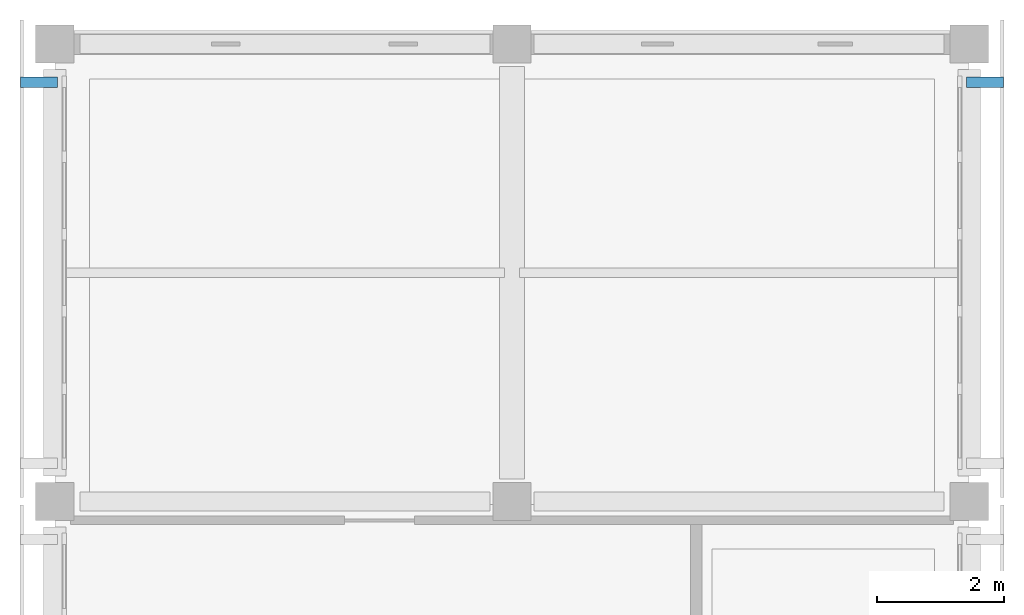
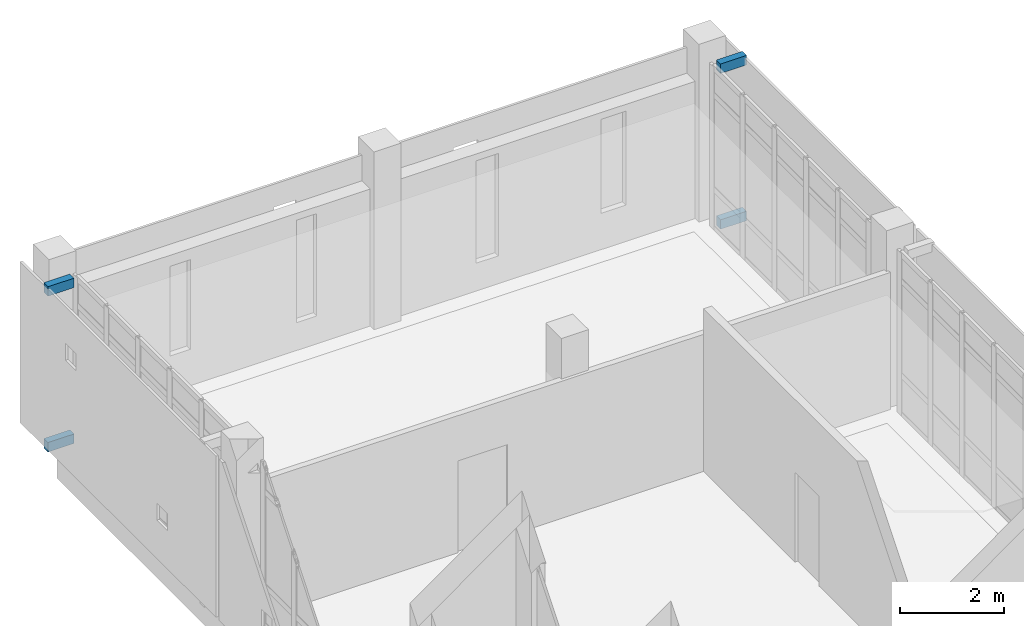
# One storey, part 18 of 21: 4 discrete accessories.
"""IFC4 building model written with IfcOpenShell, lengths in metres."""

from ifc_helpers import new_model, si_unit, direction, frame, origin, origin_2d, place, context, subcontext, project, spatial, rectangle, extrude, material, type_object, element, save


model = new_model("IFC4")

# Units and contexts
model_context = context("Model", 3, precision=1e-05, world=origin(), true_north=direction((0.0, 1.0)))
body_context = subcontext(model_context, "Body", "Model", "MODEL_VIEW")
ifc_project = project(units=[si_unit("LENGTHUNIT", "METRE"), si_unit("AREAUNIT", "SQUARE_METRE"), si_unit("VOLUMEUNIT", "CUBIC_METRE"), si_unit("PLANEANGLEUNIT", "RADIAN"), si_unit("MASSUNIT", "GRAM", prefix="KILO")], contexts=[model_context])

# Site, building, storey
site_placement = place(None, origin())
site = spatial("IfcSite", under=ifc_project, at=site_placement, CompositionType="ELEMENT")
building_placement = place(site_placement, origin())
building = spatial("IfcBuilding", under=site, at=building_placement, Name="Valkovuoma Quantum and Materials Research Institute", CompositionType="ELEMENT")
storey_placement = place(building_placement, frame((0.0, 0.0, 29.760009765625)))
storey = spatial("IfcBuildingStorey", under=building, at=storey_placement, Name="L07", CompositionType="ELEMENT", Elevation=29.760009765625)

# Discrete accessories
ifc_material = material(Name="Steel S355J2", Category="steel")
discrete_accessory_type = type_object("IfcDiscreteAccessoryType", Name="Brk-BRK-01", PredefinedType="BRACKET", material=ifc_material)
for number, where, z_axis, x_axis, name in (
    (1, (-0.25, 93.0, -0.02978515625), (0.0, 0.0, 1.0), (1.0, 0.0, 0.0), "L07 screen bracket 00454"),
    (2, (-0.25, 93.0, 3.6201171875), (0.0, 0.0, 1.0), (1.0, 0.0, 0.0), "L07 screen bracket 00456"),
    (3, (14.64990234375, 93.0, -0.02978515625), (0.0, 0.0, 1.0), (1.0, 0.0, 0.0), "L07 screen bracket 00458"),
    (4, (14.64990234375, 93.0, 3.6201171875), (0.0, 0.0, 1.0), (1.0, 0.0, 0.0), "L07 screen bracket 00460"),
):
    element("IfcDiscreteAccessory", number, at=place(storey_placement, frame(where, z_axis=z_axis, x_axis=x_axis)), inside=storey, type_object=discrete_accessory_type, Name=name, PredefinedType="BRACKET", context=body_context, shape_type="SweptSolid", body=[
        extrude(rectangle(XDim=0.580078125, YDim=0.159912109375, at=origin_2d()), origin(), (0.0, 0.0, 1.0), 0.219970703125),
    ])

save(model, "model.ifc")
